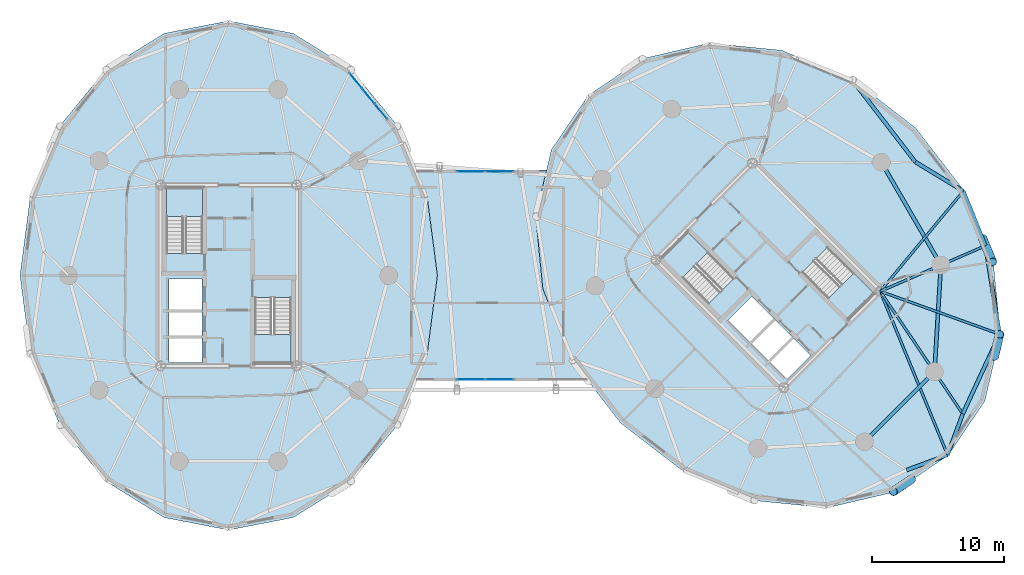
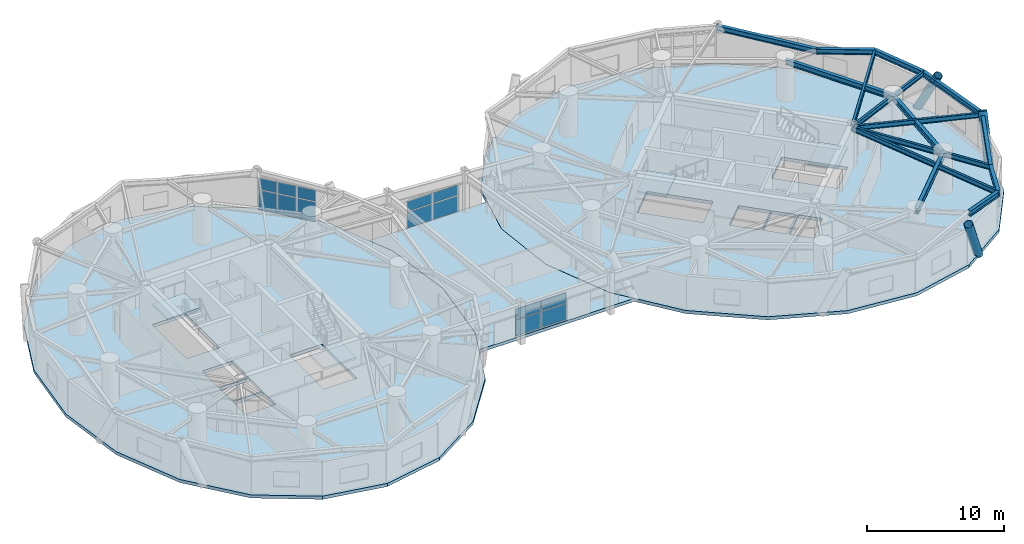
# One storey, part 11 of 19: 15 beams, 14 plates, 7 slabs, 3 members, 7 elements without a shape of their own.
"""IFC4 building model written with IfcOpenShell, lengths in metres."""

from ifc_helpers import new_model, si_unit, direction, frame, origin, origin_2d, place, context, subcontext, project, spatial, polyline, rectangle, hollow_circle, i_section, outline, extrude, source, transform, mapped, material, layer, layer_set, material_profile, profile_set, type_object, element, aggregate, save


model = new_model("IFC4")

# Units and contexts
model_context = context("Model", 3, precision=1e-05, world=origin(), true_north=direction((0.0, 1.0)))
body_context = subcontext(model_context, "Body", "Model", "MODEL_VIEW")
ifc_project = project(units=[si_unit("LENGTHUNIT", "METRE"), si_unit("AREAUNIT", "SQUARE_METRE"), si_unit("VOLUMEUNIT", "CUBIC_METRE"), si_unit("PLANEANGLEUNIT", "RADIAN"), si_unit("MASSUNIT", "GRAM", prefix="KILO")], contexts=[model_context])

# Site, building, storey
site_placement = place(None, origin())
site = spatial("IfcSite", under=ifc_project, at=site_placement, CompositionType="ELEMENT")
building_placement = place(site_placement, origin())
building = spatial("IfcBuilding", under=site, at=building_placement, Name="Cununo Teusaquillo Station Towers", CompositionType="ELEMENT")
storey_placement = place(building_placement, frame((0.0, 0.0, 136.60009765625)))
storey = spatial("IfcBuildingStorey", under=building, at=storey_placement, Name="L43", CompositionType="ELEMENT", Elevation=136.60009765625)

# Beams
ifc_material_1 = material(Name="Steel ASTM A572 Grade 50", Category="steel")
ifc_material_profile_1 = material_profile(ifc_material_1, i_section(OverallWidth=0.180908203125, OverallDepth=0.4169921875, WebThickness=0.010986328125, FlangeThickness=0.018310546875, FilletRadius=0.012939453125, at=origin_2d()), Name="W16X57")
ifc_profile_set_1 = profile_set([ifc_material_profile_1], Name="Steel ASTM A572 Grade 50")
beam_type_1 = type_object("IfcBeamType", Name="BM-JOIST-1", PredefinedType="JOIST", material=ifc_profile_set_1)
beam_1_placement = place(storey_placement, frame((66.024169921875, 23.29443359375, 3.2314453125), z_axis=(0.380485864505, -0.924786735908, 0.0), x_axis=(0.924786735908, 0.380485864505, 0.0)))
element("IfcBeam", 1, at=beam_1_placement, inside=storey, type_object=beam_type_1, Name="L43 Tower B Radial Spandrel Joist V15", PredefinedType="JOIST", context=body_context, shape_type="SweptSolid", body=[
    extrude(i_section(OverallWidth=0.180908203125, OverallDepth=0.4169921875, WebThickness=0.010986328125, FlangeThickness=0.018310546875, FilletRadius=0.012939453125, at=origin_2d()), origin(), (0.0, 0.0, 1.0), 13.44580078125),
])
beam_2_placement = place(storey_placement, frame((66.024169921875, 23.29443359375, 3.2314453125), z_axis=(0.941082771055, -0.338176312038, 0.0), x_axis=(0.338176312038, 0.941082771055, 0.0)))
element("IfcBeam", 2, at=beam_2_placement, inside=storey, type_object=beam_type_1, Name="L43 Tower B Radial Spandrel Joist V17", PredefinedType="JOIST", context=body_context, shape_type="SweptSolid", body=[
    extrude(i_section(OverallWidth=0.180908203125, OverallDepth=0.4169921875, WebThickness=0.010986328125, FlangeThickness=0.018310546875, FilletRadius=0.012939453125, at=origin_2d()), origin(), (0.0, 0.0, 1.0), 9.646484375),
])
beam_3_placement = place(storey_placement, frame((66.024169921875, 23.29443359375, 3.2314453125), z_axis=(0.638372238196, 0.769727799615, 0.0), x_axis=(-0.769727799615, 0.638372238196, 0.0)))
element("IfcBeam", 3, at=beam_3_placement, inside=storey, type_object=beam_type_1, Name="L43 Tower B Radial Spandrel Joist V19", PredefinedType="JOIST", context=body_context, shape_type="SweptSolid", body=[
    extrude(i_section(OverallWidth=0.180908203125, OverallDepth=0.4169921875, WebThickness=0.010986328125, FlangeThickness=0.018310546875, FilletRadius=0.012939453125, at=origin_2d()), origin(), (0.0, 0.0, 1.0), 9.895263671875),
])
ifc_material_2 = material(Name="Steel ASTM A572 Grade 50", Category="steel")
ifc_material_profile_2 = material_profile(ifc_material_2, i_section(OverallWidth=0.180908203125, OverallDepth=0.4169921875, WebThickness=0.010986328125, FlangeThickness=0.018310546875, FilletRadius=0.012939453125, at=origin_2d()), Name="W16X57")
ifc_profile_set_2 = profile_set([ifc_material_profile_2], Name="Steel ASTM A572 Grade 50")
beam_type_2 = type_object("IfcBeamType", Name="BM-RAD-G2", PredefinedType="BEAM", material=ifc_profile_set_2)
beam_4_placement = place(storey_placement, frame((66.024169921875, 23.29443359375, 3.2314453125), z_axis=(0.558572297481, -0.82945583878, 0.0), x_axis=(0.82945583878, 0.558572297481, 0.0)))
element("IfcBeam", 4, at=beam_4_placement, inside=storey, type_object=beam_type_2, Name="L43 Tower B Continuous Overhanging Radial Girder 09", PredefinedType="BEAM", context=body_context, shape_type="SweptSolid", body=[
    extrude(i_section(OverallWidth=0.180908203125, OverallDepth=0.4169921875, WebThickness=0.010986328125, FlangeThickness=0.018310546875, FilletRadius=0.012939453125, at=origin_2d()), origin(), (0.0, 0.0, 1.0), 11.22998046875),
])
beam_5_placement = place(storey_placement, frame((66.024169921875, 23.29443359375, 3.2314453125), z_axis=(0.917654733344, 0.397378648609, 0.0), x_axis=(-0.397378648609, 0.917654733344, 0.0)))
element("IfcBeam", 5, at=beam_5_placement, inside=storey, type_object=beam_type_2, Name="L43 Tower B Continuous Overhanging Radial Girder 10", PredefinedType="BEAM", context=body_context, shape_type="SweptSolid", body=[
    extrude(i_section(OverallWidth=0.180908203125, OverallDepth=0.4169921875, WebThickness=0.010986328125, FlangeThickness=0.018310546875, FilletRadius=0.012939453125, at=origin_2d()), origin(), (0.0, 0.0, 1.0), 8.71484375),
])
ifc_material_3 = material(Name="Steel ASTM A572 Grade 50", Category="steel")
ifc_material_profile_3 = material_profile(ifc_material_3, i_section(OverallWidth=0.280029296875, OverallDepth=0.462890625, WebThickness=0.0107421875, FlangeThickness=0.017333984375, FilletRadius=0.013916015625, at=origin_2d()), Name="W18X76")
ifc_profile_set_3 = profile_set([ifc_material_profile_3], Name="Steel ASTM A572 Grade 50")
beam_type_3 = type_object("IfcBeamType", Name="BM-RING-Z2", PredefinedType="SPANDREL", material=ifc_profile_set_3)
beam_6_placement = place(storey_placement, frame((64.826904296875, 11.853759765625, 3.20849609375), z_axis=(0.707106781187, 0.707106781187, 0.0), x_axis=(-0.707106781187, 0.707106781187, 0.0)))
element("IfcBeam", 6, at=beam_6_placement, inside=storey, type_object=beam_type_3, Name="L43 Tower B Structural Column Ring Girder 08", PredefinedType="SPANDREL", context=body_context, shape_type="SweptSolid", body=[
    extrude(i_section(OverallWidth=0.280029296875, OverallDepth=0.462890625, WebThickness=0.0107421875, FlangeThickness=0.017333984375, FilletRadius=0.013916015625, at=origin_2d()), origin(), (0.0, 0.0, 1.0), 7.522705078125),
])
beam_7_placement = place(storey_placement, frame((70.146240234375, 17.173095703125, 3.20849609375), z_axis=(0.06012979176, 0.998190567048, 0.0), x_axis=(-0.998190567048, 0.06012979176, 0.0)))
element("IfcBeam", 7, at=beam_7_placement, inside=storey, type_object=beam_type_3, Name="L43 Tower B Structural Column Ring Girder 09", PredefinedType="SPANDREL", context=body_context, shape_type="SweptSolid", body=[
    extrude(i_section(OverallWidth=0.280029296875, OverallDepth=0.462890625, WebThickness=0.0107421875, FlangeThickness=0.017333984375, FilletRadius=0.013916015625, at=origin_2d()), origin(), (0.0, 0.0, 1.0), 8.132568359375),
])
beam_8_placement = place(storey_placement, frame((70.63525390625, 25.291015625, 3.20849609375), z_axis=(-0.501311121078, 0.865267103202, 0.0), x_axis=(-0.865267103202, -0.501311121078, 0.0)))
element("IfcBeam", 8, at=beam_8_placement, inside=storey, type_object=beam_type_3, Name="L43 Tower B Structural Column Ring Girder 10", PredefinedType="SPANDREL", context=body_context, shape_type="SweptSolid", body=[
    extrude(i_section(OverallWidth=0.280029296875, OverallDepth=0.462890625, WebThickness=0.0107421875, FlangeThickness=0.017333984375, FilletRadius=0.013916015625, at=origin_2d()), origin(), (0.0, 0.0, 1.0), 9.032958984375),
])
beam_9_placement = place(storey_placement, frame((68.694580078125, 33.12890625, 3.20849609375), z_axis=(-0.610100441726, 0.792324082056, 0.0), x_axis=(-0.792324082056, -0.610100441726, 0.0)))
element("IfcBeam", 9, at=beam_9_placement, inside=storey, type_object=beam_type_3, Name="L43 Tower B Spandrel Ring Beam 01", PredefinedType="SPANDREL", context=body_context, shape_type="SweptSolid", body=[
    extrude(i_section(OverallWidth=0.280029296875, OverallDepth=0.462890625, WebThickness=0.0107421875, FlangeThickness=0.017333984375, FilletRadius=0.013916015625, at=origin_2d()), origin(), (0.0, 0.0, 1.0), 7.84033203125),
])
for number, where, z_axis, x_axis, name in (
    (10, (68.020263671875, 9.703125, 3.20849609375), (0.937628334414, 0.347639333943, 0.0), (-0.347639333943, 0.937628334414, 0.0), "L43 Tower B Spandrel Ring Beam 15"),
    (11, (71.14013671875, 10.85986328125, 3.20849609375), (0.347639333943, 0.937628334414, 0.0), (-0.937628334414, 0.347639333943, 0.0), "L43 Tower B Spandrel Ring Beam 16"),
):
    element("IfcBeam", number, at=place(storey_placement, frame(where, z_axis=z_axis, x_axis=x_axis)), inside=storey, type_object=beam_type_3, Name=name, PredefinedType="SPANDREL", context=body_context, shape_type="SweptSolid", body=[
        extrude(i_section(OverallWidth=0.280029296875, OverallDepth=0.462890625, WebThickness=0.0107421875, FlangeThickness=0.017333984375, FilletRadius=0.013916015625, at=origin_2d()), origin(), (0.0, 0.0, 1.0), 3.327392578125),
    ])
beam_10_placement = place(storey_placement, frame((72.296875, 13.979736328125, 3.20849609375), z_axis=(0.420535961689, 0.907275870354, 0.0), x_axis=(-0.907275870354, 0.420535961689, 0.0)))
element("IfcBeam", 12, at=beam_10_placement, inside=storey, type_object=beam_type_3, Name="L43 Tower B Spandrel Ring Beam 17", PredefinedType="SPANDREL", context=body_context, shape_type="SweptSolid", body=[
    extrude(i_section(OverallWidth=0.280029296875, OverallDepth=0.462890625, WebThickness=0.0107421875, FlangeThickness=0.017333984375, FilletRadius=0.013916015625, at=origin_2d()), origin(), (0.0, 0.0, 1.0), 6.671142578125),
])
beam_11_placement = place(storey_placement, frame((75.102294921875, 20.0322265625, 3.20849609375), z_axis=(-0.158671232312, 0.987331474246, 0.0), x_axis=(-0.987331474246, -0.158671232312, 0.0)))
element("IfcBeam", 13, at=beam_11_placement, inside=storey, type_object=beam_type_3, Name="L43 Tower B Spandrel Ring Beam 18", PredefinedType="SPANDREL", context=body_context, shape_type="SweptSolid", body=[
    extrude(i_section(OverallWidth=0.280029296875, OverallDepth=0.462890625, WebThickness=0.0107421875, FlangeThickness=0.017333984375, FilletRadius=0.013916015625, at=origin_2d()), origin(), (0.0, 0.0, 1.0), 6.8115234375),
])
beam_12_placement = place(storey_placement, frame((74.021484375, 26.757568359375, 3.20849609375), z_axis=(-0.375042266631, 0.927007712072, 0.0), x_axis=(-0.927007712072, -0.375042266631, 0.0)))
element("IfcBeam", 14, at=beam_12_placement, inside=storey, type_object=beam_type_3, Name="L43 Tower B Spandrel Ring Beam 19", PredefinedType="SPANDREL", context=body_context, shape_type="SweptSolid", body=[
    extrude(i_section(OverallWidth=0.280029296875, OverallDepth=0.462890625, WebThickness=0.0107421875, FlangeThickness=0.017333984375, FilletRadius=0.013916015625, at=origin_2d()), origin(), (0.0, 0.0, 1.0), 4.480712890625),
])
beam_13_placement = place(storey_placement, frame((72.341064453125, 30.9111328125, 3.20849609375), z_axis=(-0.854388492444, 0.519634779416, 0.0), x_axis=(-0.519634779416, -0.854388492444, 0.0)))
element("IfcBeam", 15, at=beam_13_placement, inside=storey, type_object=beam_type_3, Name="L43 Tower B Spandrel Ring Beam 20", PredefinedType="SPANDREL", context=body_context, shape_type="SweptSolid", body=[
    extrude(i_section(OverallWidth=0.280029296875, OverallDepth=0.462890625, WebThickness=0.0107421875, FlangeThickness=0.017333984375, FilletRadius=0.013916015625, at=origin_2d()), origin(), (0.0, 0.0, 1.0), 4.26806640625),
])

# Members
ifc_material_4 = material(Name="Steel EN 10025-2 S355J2", Category="steel")
ifc_material_profile_4 = material_profile(ifc_material_4, hollow_circle(Radius=0.330078125, WallThickness=0.02490234375, at=origin_2d()), Name="CHS 660x25")
ifc_profile_set_4 = profile_set([ifc_material_profile_4], Name="Steel EN 10025-2 S355J2")
member_type = type_object("IfcMemberType", Name="MBR-DIAG-Z2", PredefinedType="BRACE", material=ifc_profile_set_4)
member_1_placement = place(storey_placement, frame((68.393310546875, 9.003173828125, -0.14013671875), z_axis=(-0.337254741435, -0.227973654759, 0.913393262574), x_axis=(0.560024081213, -0.828476329452, 0.0)))
element("IfcMember", 16, at=member_1_placement, inside=storey, type_object=member_type, Name="L43 Tower B Folded-Zigzag Diagrid Tube C14", PredefinedType="BRACE", context=body_context, shape_type="SweptSolid", body=[
    extrude(hollow_circle(Radius=0.330078125, WallThickness=0.02490234375, at=origin_2d()), origin(), (0.0, 0.0, 1.0), 4.07275390625),
])
member_2_placement = place(storey_placement, frame((74.7099609375, 18.348388671875, -0.14013671875), z_axis=(0.095641677979, 0.410479560061, 0.906840228599), x_axis=(-0.973913029911, 0.226921594761, 0.0)))
element("IfcMember", 17, at=member_2_placement, inside=storey, type_object=member_type, Name="L43 Tower B Folded-Zigzag Diagrid Tube C16", PredefinedType="BRACE", context=body_context, shape_type="SweptSolid", body=[
    extrude(hollow_circle(Radius=0.330078125, WallThickness=0.02490234375, at=origin_2d()), origin(), (0.0, 0.0, 1.0), 4.10205078125),
])
member_3_placement = place(storey_placement, frame((73.818115234375, 27.318115234375, -0.14013671875), z_axis=(0.175986059841, -0.428067910184, 0.886446146707), x_axis=(0.924888817599, 0.380237656053, 0.0)))
element("IfcMember", 18, at=member_3_placement, inside=storey, type_object=member_type, Name="L43 Tower B Folded-Zigzag Diagrid Tube C18", PredefinedType="BRACE", context=body_context, shape_type="SweptSolid", body=[
    extrude(hollow_circle(Radius=0.330078125, WallThickness=0.02490234375, at=origin_2d()), origin(), (0.0, 0.0, 1.0), 4.196533203125),
])

# Slabs
ifc_material_5 = material(Name="Concrete C50/60", Category="concrete")
ifc_layer_1 = layer(ifc_material_5, 0.280029296875)
ifc_layer_set_1 = layer_set([ifc_layer_1], Name="Concrete C50/60")
slab_type_1 = type_object("IfcSlabType", Name="SLB-BRG-280", PredefinedType="FLOOR", material=ifc_layer_set_1)
slab_1_placement = place(storey_placement, frame((0.0, 0.0, -0.280029296875)))
element("IfcSlab", 19, at=slab_1_placement, inside=storey, type_object=slab_type_1, Name="L43 Tower A Floor Slab", PredefinedType="FLOOR", context=body_context, shape_type="SweptSolid", body=[
    extrude(outline(polyline([(32.361083984375, 24.5), (31.584716796875, 30.4794921875), (29.331787109375, 35.87353515625), (25.822998046875, 40.154541015625), (21.4013671875, 42.90283203125), (16.5, 43.85009765625), (11.5986328125, 42.90283203125), (7.177001953125, 40.154541015625), (3.668212890625, 35.87353515625), (1.415283203125, 30.4794921875), (0.638916015625, 24.5), (1.415283203125, 18.5205078125), (3.668212890625, 13.12646484375), (7.177001953125, 8.845458984375), (11.5986328125, 6.09716796875), (16.5, 5.14990234375), (21.4013671875, 6.09716796875), (25.822998046875, 8.845458984375), (29.331787109375, 13.12646484375), (31.584716796875, 18.5205078125), (32.361083984375, 24.5)]), holes=[polyline([(14.52001953125, 26.176025390625), (14.52001953125, 31.159912109375), (11.760009765625, 31.159912109375), (11.760009765625, 26.176025390625), (14.52001953125, 26.176025390625)]), polyline([(18.47998046875, 22.823974609375), (18.47998046875, 17.840087890625), (21.239990234375, 17.840087890625), (21.239990234375, 22.823974609375), (18.47998046875, 22.823974609375)]), polyline([(11.949951171875, 21.85009765625), (14.47998046875, 21.85009765625), (14.47998046875, 24.25), (11.949951171875, 24.25), (11.949951171875, 21.85009765625)]), polyline([(11.949951171875, 17.89990234375), (14.47998046875, 17.89990234375), (14.47998046875, 19.75), (11.949951171875, 19.75), (11.949951171875, 17.89990234375)]), polyline([(11.949951171875, 19.89990234375), (14.47998046875, 19.89990234375), (14.47998046875, 21.75), (11.949951171875, 21.75), (11.949951171875, 19.89990234375)])]), origin(), (0.0, 0.0, 1.0), 0.280029296875),
])
slab_2_placement = place(storey_placement, frame((0.0, 0.0, -0.280029296875)))
element("IfcSlab", 20, at=slab_2_placement, inside=storey, type_object=slab_type_1, Name="L43 Tower B Floor Slab", PredefinedType="FLOOR", context=body_context, shape_type="SweptSolid", body=[
    extrude(outline(polyline([(68.71533203125, 35.71533203125), (63.938232421875, 39.39453125), (58.531005859375, 41.61572265625), (53.02294921875, 42.16162109375), (47.952880859375, 40.978515625), (43.8173828125, 38.1826171875), (41.021484375, 34.047119140625), (39.83837890625, 28.97705078125), (40.38427734375, 23.468994140625), (42.60546875, 18.061767578125), (46.28466796875, 13.28466796875), (51.061767578125, 9.60546875), (56.468994140625, 7.38427734375), (61.97705078125, 6.83837890625), (67.047119140625, 8.021484375), (71.1826171875, 10.8173828125), (73.978515625, 14.952880859375), (75.16162109375, 20.02294921875), (74.61572265625, 25.531005859375), (72.39453125, 30.938232421875), (68.71533203125, 35.71533203125)]), holes=[polyline([(54.914794921875, 24.28515625), (51.390625, 27.809326171875), (49.43896484375, 25.857666015625), (52.963134765625, 22.33349609375), (54.914794921875, 24.28515625)]), polyline([(60.085205078125, 24.71484375), (63.609375, 21.190673828125), (65.56103515625, 23.142333984375), (62.036865234375, 26.66650390625), (60.085205078125, 24.71484375)]), polyline([(56.156494140625, 19.40869140625), (57.945556640625, 21.19775390625), (56.248291015625, 22.89501953125), (54.45947265625, 21.10595703125), (56.156494140625, 19.40869140625)]), polyline([(58.94970703125, 16.61572265625), (60.738525390625, 18.40478515625), (59.430419921875, 19.712890625), (57.641357421875, 17.923828125), (58.94970703125, 16.61572265625)]), polyline([(57.535400390625, 18.030029296875), (59.32421875, 19.819091796875), (58.01611328125, 21.127197265625), (56.227294921875, 19.338134765625), (57.535400390625, 18.030029296875)])]), origin(), (0.0, 0.0, 1.0), 0.280029296875),
])
slab_3_placement = place(storey_placement, frame((0.0, 0.0, -0.280029296875)))
element("IfcSlab", 21, at=slab_3_placement, inside=storey, type_object=slab_type_1, Name="L43 Mid-Bridge Link Floor Slab", PredefinedType="FLOOR", context=body_context, shape_type="SweptSolid", body=[
    extrude(outline(polyline([(30.74609375, 16.5), (31.58935546875, 18.5185546875), (31.589599609375, 18.51904296875), (31.589599609375, 18.519287109375), (31.589599609375, 18.52001953125), (32.365966796875, 24.49951171875), (32.365966796875, 24.499755859375), (32.365966796875, 24.500244140625), (32.365966796875, 24.50048828125), (31.589599609375, 30.47998046875), (31.589599609375, 30.480712890625), (31.589599609375, 30.48095703125), (31.58935546875, 30.4814453125), (30.74609375, 32.5), (40.6552734375, 32.5), (39.83349609375, 28.978271484375), (39.833251953125, 28.977783203125), (39.833251953125, 28.977294921875), (39.833251953125, 28.9765625), (40.379150390625, 23.468505859375), (40.37939453125, 23.468017578125), (40.37939453125, 23.467529296875), (40.379638671875, 23.467041015625), (42.600830078125, 18.059814453125), (42.60107421875, 18.059326171875), (42.601318359375, 18.05908203125), (42.601318359375, 18.05859375), (43.802001953125, 16.5), (30.74609375, 16.5)])), origin(), (0.0, 0.0, 1.0), 0.280029296875),
])

# Stair, slab
ifc_material_6 = material(Name="Concrete C50/60", Category="concrete")
stair_type = type_object("IfcStairType", Name="ST-TWR-1300", PredefinedType="HALF_TURN_STAIR", material=ifc_material_6)
stair_1_placement = place(storey_placement, origin())
stair_1 = element("IfcStair", 22, at=stair_1_placement, inside=storey, type_object=stair_type, Name="L43 Tower A Protected Core Exit Stair 1", PredefinedType="HALF_TURN_STAIR")
ifc_material_7 = material(Name="Concrete C50/60", Category="concrete")
ifc_layer_2 = layer(ifc_material_7, 0.199951171875)
ifc_layer_set_2 = layer_set([ifc_layer_2], Name="Concrete C50/60")
slab_type_2 = type_object("IfcSlabType", Name="SLB-STAIR-LND", PredefinedType="LANDING", material=ifc_layer_set_2)
slab_4_placement = place(storey_placement, frame((0.0, 0.0, 1.659912109375)))
slab_4 = element("IfcSlab", 23, at=slab_4_placement, type_object=slab_type_2, Name="ST-T1-1 landing 1", PredefinedType="LANDING", context=body_context, shape_type="SweptSolid", body=[
    extrude(outline(polyline([(14.52001953125, 28.969970703125), (14.52001953125, 31.159912109375), (11.760009765625, 31.159912109375), (11.760009765625, 28.969970703125), (14.52001953125, 28.969970703125)])), origin(), (0.0, 0.0, 1.0), 0.199951171875),
])
aggregate(stair_1, [slab_4])

stair_2_placement = place(storey_placement, origin())
stair_2 = element("IfcStair", 24, at=stair_2_placement, inside=storey, type_object=stair_type, Name="L43 Tower A Protected Core Exit Stair 2", PredefinedType="HALF_TURN_STAIR")
slab_5_placement = place(storey_placement, frame((0.0, 0.0, 1.659912109375)))
slab_5 = element("IfcSlab", 25, at=slab_5_placement, type_object=slab_type_2, Name="ST-T1-2 landing 1", PredefinedType="LANDING", context=body_context, shape_type="SweptSolid", body=[
    extrude(outline(polyline([(18.47998046875, 20.030029296875), (18.47998046875, 17.840087890625), (21.239990234375, 17.840087890625), (21.239990234375, 20.030029296875), (18.47998046875, 20.030029296875)])), origin(), (0.0, 0.0, 1.0), 0.199951171875),
])
aggregate(stair_2, [slab_5])

stair_3_placement = place(storey_placement, origin())
stair_3 = element("IfcStair", 26, at=stair_3_placement, inside=storey, type_object=stair_type, Name="L43 Tower B Protected Core Exit Stair 1", PredefinedType="HALF_TURN_STAIR")
slab_6_placement = place(storey_placement, frame((0.0, 0.0, 1.659912109375)))
slab_6 = element("IfcSlab", 27, at=slab_6_placement, type_object=slab_type_2, Name="ST-T2-1 landing 1", PredefinedType="LANDING", context=body_context, shape_type="SweptSolid", body=[
    extrude(outline(polyline([(52.939208984375, 26.2607421875), (51.390625, 27.809326171875), (49.43896484375, 25.857666015625), (50.987548828125, 24.30908203125), (52.939208984375, 26.2607421875)])), origin(), (0.0, 0.0, 1.0), 0.199951171875),
])
aggregate(stair_3, [slab_6])

stair_4_placement = place(storey_placement, origin())
stair_4 = element("IfcStair", 28, at=stair_4_placement, inside=storey, type_object=stair_type, Name="L43 Tower B Protected Core Exit Stair 2", PredefinedType="HALF_TURN_STAIR")
slab_7_placement = place(storey_placement, frame((0.0, 0.0, 1.659912109375)))
slab_7 = element("IfcSlab", 29, at=slab_7_placement, type_object=slab_type_2, Name="ST-T2-2 landing 1", PredefinedType="LANDING", context=body_context, shape_type="SweptSolid", body=[
    extrude(outline(polyline([(62.060791015625, 22.7392578125), (63.609375, 21.190673828125), (65.56103515625, 23.142333984375), (64.012451171875, 24.69091796875), (62.060791015625, 22.7392578125)])), origin(), (0.0, 0.0, 1.0), 0.199951171875),
])
aggregate(stair_4, [slab_7])

# Curtain wall, plates
ifc_material_8 = material(Name="Ceramic-fritted dark low-E double glazing", Category="glass")
ifc_layer_3 = layer(ifc_material_8, 0.179931640625)
ifc_layer_set_3 = layer_set([ifc_layer_3], Name="Ceramic-fritted dark low-E double glazing")
curtain_wall_type_1 = type_object("IfcCurtainWallType", Name="CW-SYS-04", PredefinedType="USERDEFINED", material=ifc_layer_set_3)
curtain_wall_1_placement = place(storey_placement, origin())
curtain_wall_1 = element("IfcCurtainWall", 30, at=curtain_wall_1_placement, inside=storey, type_object=curtain_wall_type_1, Name="L43 Tower A Facade Curtain Wall C02", ObjectType="FRITTED GLAZING", PredefinedType="USERDEFINED")
ifc_material_9 = material(Name="Ceramic-fritted dark low-E double glazing", Category="glass")
ifc_layer_4 = layer(ifc_material_9, 0.028076171875)
ifc_layer_set_4 = layer_set([ifc_layer_4], Name="Ceramic-fritted dark low-E double glazing")
plate_type = type_object("IfcPlateType", Name="CWP-FRIT-28", PredefinedType="CURTAIN_PANEL", material=ifc_layer_set_4)
shared_shape_1 = source(origin(), body_context, "Body", "SweptSolid", [
    extrude(rectangle(XDim=1.427734375, YDim=0.028076171875, at=origin_2d()), origin(), (0.0, 0.0, 1.0), 1.7451171875),
])
plate_1_placement = place(storey_placement, frame((26.154296875, 39.321044921875, 0.06982421875), z_axis=(0.0, 0.0, 1.0), x_axis=(0.63270351247, -0.774394127889, 0.0)))
plate_1 = element("IfcPlate", 31, at=plate_1_placement, type_object=plate_type, Name="CW-04 panel 1.1", PredefinedType="CURTAIN_PANEL", context=body_context, shape_type="MappedRepresentation", body=[
    mapped(shared_shape_1, transform((0.0, 0.0, 0.0), x_axis=(1.0, 0.0, 0.0), y_axis=(0.0, 1.0, 0.0), z_axis=(0.0, 0.0, 1.0), scale=1.0)),
])
plate_2_placement = place(storey_placement, frame((28.071533203125, 36.974365234375, 0.06982421875), z_axis=(0.0, 0.0, 1.0), x_axis=(0.63270351247, -0.774394127889, 0.0)))
plate_2 = element("IfcPlate", 32, at=plate_2_placement, type_object=plate_type, Name="CW-04 panel 3.1", PredefinedType="CURTAIN_PANEL", context=body_context, shape_type="MappedRepresentation", body=[
    mapped(shared_shape_1, transform((0.0, 0.0, 0.0), x_axis=(1.0, 0.0, 0.0), y_axis=(0.0, 1.0, 0.0), z_axis=(0.0, 0.0, 1.0), scale=1.0)),
])
shared_shape_2 = source(origin(), body_context, "Body", "SweptSolid", [
    extrude(rectangle(XDim=1.427734375, YDim=0.028076171875, at=origin_2d()), origin(), (0.0, 0.0, 1.0), 0.993896484375),
])
plate_3_placement = place(storey_placement, frame((26.154296875, 39.321044921875, 1.884765625), z_axis=(0.0, 0.0, 1.0), x_axis=(0.63270351247, -0.774394127889, 0.0)))
plate_3 = element("IfcPlate", 33, at=plate_3_placement, type_object=plate_type, Name="CW-04 panel 1.2", PredefinedType="CURTAIN_PANEL", context=body_context, shape_type="MappedRepresentation", body=[
    mapped(shared_shape_2, transform((0.0, 0.0, 0.0), x_axis=(1.0, 0.0, 0.0), y_axis=(0.0, 1.0, 0.0), z_axis=(0.0, 0.0, 1.0), scale=1.0)),
])
plate_4_placement = place(storey_placement, frame((28.071533203125, 36.974365234375, 1.884765625), z_axis=(0.0, 0.0, 1.0), x_axis=(0.63270351247, -0.774394127889, 0.0)))
plate_4 = element("IfcPlate", 34, at=plate_4_placement, type_object=plate_type, Name="CW-04 panel 3.2", PredefinedType="CURTAIN_PANEL", context=body_context, shape_type="MappedRepresentation", body=[
    mapped(shared_shape_2, transform((0.0, 0.0, 0.0), x_axis=(1.0, 0.0, 0.0), y_axis=(0.0, 1.0, 0.0), z_axis=(0.0, 0.0, 1.0), scale=1.0)),
])
shared_shape_3 = source(origin(), body_context, "Body", "SweptSolid", [
    extrude(rectangle(XDim=1.462646484375, YDim=0.028076171875, at=origin_2d()), origin(), (0.0, 0.0, 1.0), 1.7451171875),
])
plate_5_placement = place(storey_placement, frame((27.11279296875, 38.147705078125, 0.06982421875), z_axis=(0.0, 0.0, 1.0), x_axis=(0.63270351247, -0.774394127889, 0.0)))
plate_5 = element("IfcPlate", 35, at=plate_5_placement, type_object=plate_type, Name="CW-04 panel 2.1", PredefinedType="CURTAIN_PANEL", context=body_context, shape_type="MappedRepresentation", body=[
    mapped(shared_shape_3, transform((0.0, 0.0, 0.0), x_axis=(1.0, 0.0, 0.0), y_axis=(0.0, 1.0, 0.0), z_axis=(0.0, 0.0, 1.0), scale=1.0)),
])
shared_shape_4 = source(origin(), body_context, "Body", "SweptSolid", [
    extrude(rectangle(XDim=1.462646484375, YDim=0.028076171875, at=origin_2d()), origin(), (0.0, 0.0, 1.0), 0.993896484375),
])
plate_6_placement = place(storey_placement, frame((27.11279296875, 38.147705078125, 1.884765625), z_axis=(0.0, 0.0, 1.0), x_axis=(0.63270351247, -0.774394127889, 0.0)))
plate_6 = element("IfcPlate", 36, at=plate_6_placement, type_object=plate_type, Name="CW-04 panel 2.2", PredefinedType="CURTAIN_PANEL", context=body_context, shape_type="MappedRepresentation", body=[
    mapped(shared_shape_4, transform((0.0, 0.0, 0.0), x_axis=(1.0, 0.0, 0.0), y_axis=(0.0, 1.0, 0.0), z_axis=(0.0, 0.0, 1.0), scale=1.0)),
])
aggregate(curtain_wall_1, [plate_1, plate_3, plate_5, plate_6, plate_2, plate_4])

ifc_material_10 = material(Name="Ceramic-fritted dark low-E double glazing", Category="glass")
ifc_layer_5 = layer(ifc_material_10, 0.179931640625)
ifc_layer_set_5 = layer_set([ifc_layer_5], Name="Ceramic-fritted dark low-E double glazing")
curtain_wall_type_2 = type_object("IfcCurtainWallType", Name="CW-SYS-05", PredefinedType="USERDEFINED", material=ifc_layer_set_5)
curtain_wall_2_placement = place(storey_placement, origin())
curtain_wall_2 = element("IfcCurtainWall", 37, at=curtain_wall_2_placement, inside=storey, type_object=curtain_wall_type_2, Name="L43 Mid-Bridge N Observation Curtain Wall", ObjectType="FRITTED GLAZING", PredefinedType="USERDEFINED")
shared_shape_5 = source(origin(), body_context, "Body", "SweptSolid", [
    extrude(rectangle(XDim=2.080078125, YDim=0.028076171875, at=origin_2d()), origin(), (0.0, 0.0, 1.0), 1.402099609375),
])
plate_7_placement = place(storey_placement, frame((34.919921875, 32.39990234375, 0.06982421875), z_axis=(0.0, 0.0, 1.0), x_axis=(1.0, 0.0, 0.0)))
plate_7 = element("IfcPlate", 38, at=plate_7_placement, type_object=plate_type, Name="CW-05 panel 1.1", PredefinedType="CURTAIN_PANEL", context=body_context, shape_type="MappedRepresentation", body=[
    mapped(shared_shape_5, transform((0.0, 0.0, 0.0), x_axis=(1.0, 0.0, 0.0), y_axis=(0.0, 1.0, 0.0), z_axis=(0.0, 0.0, 1.0), scale=1.0)),
])
plate_8_placement = place(storey_placement, frame((37.080078125, 32.39990234375, 0.06982421875), z_axis=(0.0, 0.0, 1.0), x_axis=(1.0, 0.0, 0.0)))
plate_8 = element("IfcPlate", 39, at=plate_8_placement, type_object=plate_type, Name="CW-05 panel 2.1", PredefinedType="CURTAIN_PANEL", context=body_context, shape_type="MappedRepresentation", body=[
    mapped(shared_shape_5, transform((0.0, 0.0, 0.0), x_axis=(1.0, 0.0, 0.0), y_axis=(0.0, 1.0, 0.0), z_axis=(0.0, 0.0, 1.0), scale=1.0)),
])

curtain_wall_3_placement = place(storey_placement, origin())
curtain_wall_3 = element("IfcCurtainWall", 40, at=curtain_wall_3_placement, inside=storey, type_object=curtain_wall_type_2, Name="L43 Mid-Bridge S Observation Curtain Wall", ObjectType="FRITTED GLAZING", PredefinedType="USERDEFINED")
plate_9_placement = place(storey_placement, frame((37.080078125, 16.60009765625, 0.06982421875), z_axis=(0.0, 0.0, 1.0), x_axis=(-1.0, 0.0, 0.0)))
plate_9 = element("IfcPlate", 41, at=plate_9_placement, type_object=plate_type, Name="CW-05 panel 1.1", PredefinedType="CURTAIN_PANEL", context=body_context, shape_type="MappedRepresentation", body=[
    mapped(shared_shape_5, transform((0.0, 0.0, 0.0), x_axis=(1.0, 0.0, 0.0), y_axis=(0.0, 1.0, 0.0), z_axis=(0.0, 0.0, 1.0), scale=1.0)),
])
plate_10_placement = place(storey_placement, frame((34.919921875, 16.60009765625, 0.06982421875), z_axis=(0.0, 0.0, 1.0), x_axis=(-1.0, 0.0, 0.0)))
plate_10 = element("IfcPlate", 42, at=plate_10_placement, type_object=plate_type, Name="CW-05 panel 2.1", PredefinedType="CURTAIN_PANEL", context=body_context, shape_type="MappedRepresentation", body=[
    mapped(shared_shape_5, transform((0.0, 0.0, 0.0), x_axis=(1.0, 0.0, 0.0), y_axis=(0.0, 1.0, 0.0), z_axis=(0.0, 0.0, 1.0), scale=1.0)),
])

# Plate
shared_shape_6 = source(origin(), body_context, "Body", "SweptSolid", [
    extrude(rectangle(XDim=2.080078125, YDim=0.028076171875, at=origin_2d()), origin(), (0.0, 0.0, 1.0), 0.89990234375),
])
plate_11_placement = place(storey_placement, frame((34.919921875, 32.39990234375, 1.5419921875), z_axis=(0.0, 0.0, 1.0), x_axis=(1.0, 0.0, 0.0)))
plate_11 = element("IfcPlate", 43, at=plate_11_placement, type_object=plate_type, Name="CW-05 panel 1.2", PredefinedType="CURTAIN_PANEL", context=body_context, shape_type="MappedRepresentation", body=[
    mapped(shared_shape_6, transform((0.0, 0.0, 0.0), x_axis=(1.0, 0.0, 0.0), y_axis=(0.0, 1.0, 0.0), z_axis=(0.0, 0.0, 1.0), scale=1.0)),
])

plate_12_placement = place(storey_placement, frame((37.080078125, 32.39990234375, 1.5419921875), z_axis=(0.0, 0.0, 1.0), x_axis=(1.0, 0.0, 0.0)))
plate_12 = element("IfcPlate", 44, at=plate_12_placement, type_object=plate_type, Name="CW-05 panel 2.2", PredefinedType="CURTAIN_PANEL", context=body_context, shape_type="MappedRepresentation", body=[
    mapped(shared_shape_6, transform((0.0, 0.0, 0.0), x_axis=(1.0, 0.0, 0.0), y_axis=(0.0, 1.0, 0.0), z_axis=(0.0, 0.0, 1.0), scale=1.0)),
])

aggregate(curtain_wall_2, [plate_7, plate_11, plate_8, plate_12])

plate_13_placement = place(storey_placement, frame((37.080078125, 16.60009765625, 1.5419921875), z_axis=(0.0, 0.0, 1.0), x_axis=(-1.0, 0.0, 0.0)))
plate_13 = element("IfcPlate", 45, at=plate_13_placement, type_object=plate_type, Name="CW-05 panel 1.2", PredefinedType="CURTAIN_PANEL", context=body_context, shape_type="MappedRepresentation", body=[
    mapped(shared_shape_6, transform((0.0, 0.0, 0.0), x_axis=(1.0, 0.0, 0.0), y_axis=(0.0, 1.0, 0.0), z_axis=(0.0, 0.0, 1.0), scale=1.0)),
])

plate_14_placement = place(storey_placement, frame((34.919921875, 16.60009765625, 1.5419921875), z_axis=(0.0, 0.0, 1.0), x_axis=(-1.0, 0.0, 0.0)))
plate_14 = element("IfcPlate", 46, at=plate_14_placement, type_object=plate_type, Name="CW-05 panel 2.2", PredefinedType="CURTAIN_PANEL", context=body_context, shape_type="MappedRepresentation", body=[
    mapped(shared_shape_6, transform((0.0, 0.0, 0.0), x_axis=(1.0, 0.0, 0.0), y_axis=(0.0, 1.0, 0.0), z_axis=(0.0, 0.0, 1.0), scale=1.0)),
])

aggregate(curtain_wall_3, [plate_9, plate_13, plate_10, plate_14])

save(model, "model.ifc")
